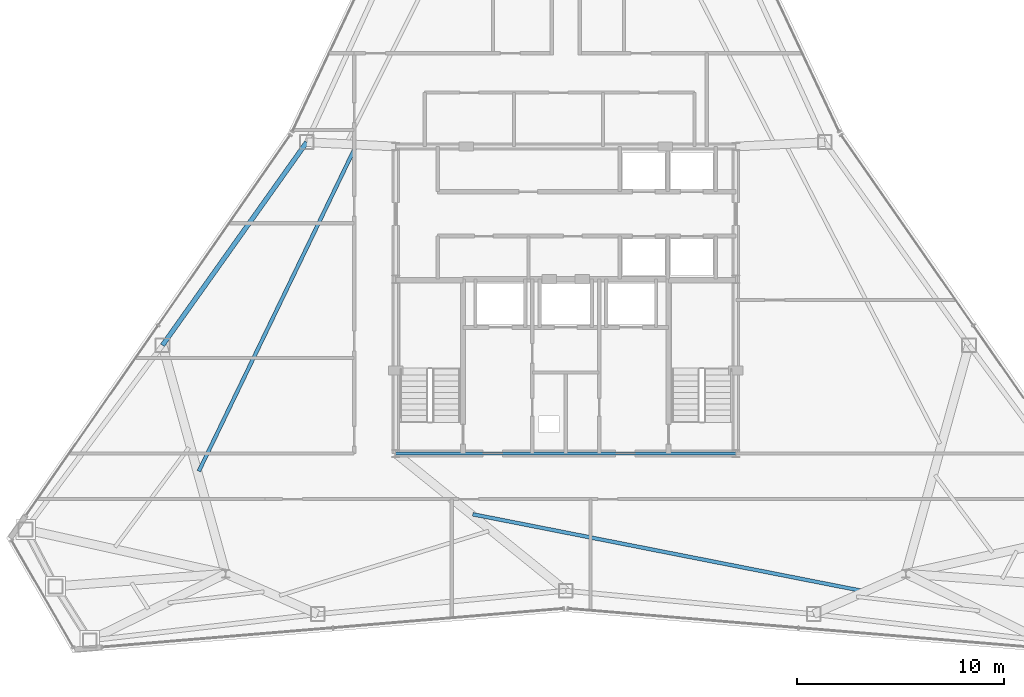
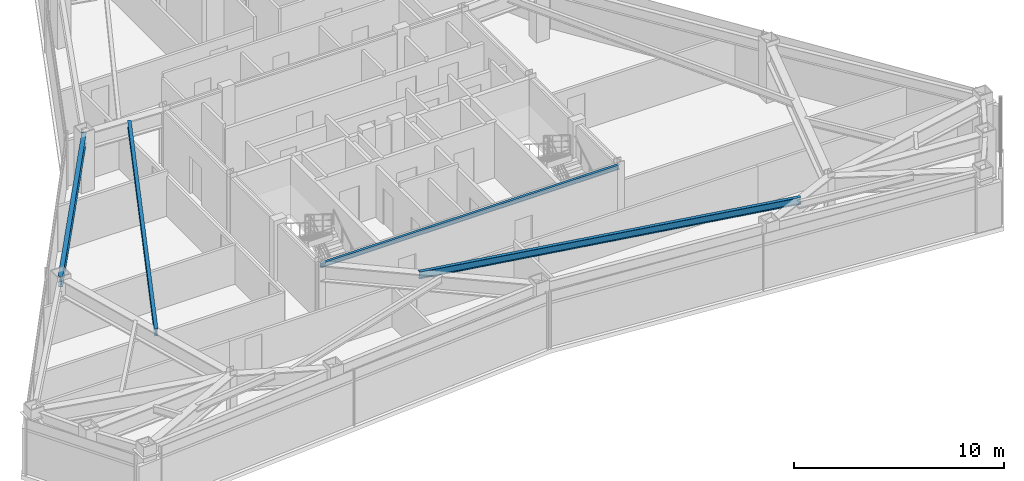
# One storey, part 4 of 12: 4 beams.
"""IFC4 building model written with IfcOpenShell, lengths in metres."""

import ifcopenshell
import ifcopenshell.guid

model = None  # the IFC model being written
_history = None  # IfcOwnerHistory: only IFC2X3 demands one
_inside = {}  # id of a spatial element -> (the spatial element, [elements in it])
_under = {}  # id of a project, library or spatial element -> (it, [spatial elements below it])
_declared = {}  # id of a project -> (the project, [libraries it declares])
_typed = {}  # id of a type object -> (the type object, [elements of that type])
_made_of = {}  # id of a material, layer set ... -> (it, [elements and type objects made of it])


def new_model(schema):
    """Start an empty IFC model of exactly this schema.

    Asked for "IFC4X3", IfcOpenShell would pick the latest addendum, in which some entities
    have other attributes; the version numbers below select the first issue.
    IFC2X3 requires an IfcOwnerHistory on every rooted entity: one is made here for all.
    """
    global model, _history
    if schema == "IFC4X3":
        model = ifcopenshell.file(schema_version=(4, 3, 0, 0))
    else:
        model = ifcopenshell.file(schema=schema)
    _inside.clear()
    _under.clear()
    _declared.clear()
    _typed.clear()
    _made_of.clear()
    _history = None
    if model.schema == "IFC2X3":
        org = make("IfcOrganization", Name="unknown")
        user = make(
            "IfcPersonAndOrganization",
            ThePerson=make("IfcPerson", FamilyName="unknown"),
            TheOrganization=org,
        )
        app = make(
            "IfcApplication",
            ApplicationDeveloper=org,
            Version="unknown",
            ApplicationFullName="unknown",
            ApplicationIdentifier="unknown",
        )
        _history = make(
            "IfcOwnerHistory",
            OwningUser=user,
            OwningApplication=app,
            ChangeAction="ADDED",
            CreationDate=0,
        )
    return model


def make(cls, **values):
    """One entity of the class cls with the attributes given. An attribute that is None is left unset."""
    return model.create_entity(
        cls, **{name: value for name, value in values.items() if value is not None}
    )


def rooted(cls, **values):
    """An entity with a GlobalId (a new one), such as an element, a storey or a relation."""
    return make(cls, GlobalId=ifcopenshell.guid.new(), OwnerHistory=_history, **values)


def si_unit(unit_type, name, prefix=None):
    """IfcSIUnit, for example si_unit("LENGTHUNIT", "METRE", prefix="MILLI")."""
    return make("IfcSIUnit", UnitType=unit_type, Prefix=prefix, Name=name)


def assignment(units):
    """IfcUnitAssignment: the units of a project."""
    return None if units is None else make("IfcUnitAssignment", Units=units)


def point(xyz):
    """IfcCartesianPoint."""
    return None if xyz is None else make("IfcCartesianPoint", Coordinates=xyz)


def direction(xyz):
    """IfcDirection."""
    return None if xyz is None else make("IfcDirection", DirectionRatios=xyz)


def frame(location, z_axis=None, x_axis=None):
    """IfcAxis2Placement3D, a coordinate frame: its origin and axes. An axis left out is left unset."""
    return make(
        "IfcAxis2Placement3D",
        Location=point(location),
        Axis=direction(z_axis),
        RefDirection=direction(x_axis),
    )


def frame_2d(location, x_axis=None):
    """IfcAxis2Placement2D, a coordinate frame in the plane: its origin and x axis."""
    return make(
        "IfcAxis2Placement2D", Location=point(location), RefDirection=direction(x_axis)
    )


def origin():
    """The frame at (0, 0, 0) with its axes left unset."""
    return frame((0.0, 0.0, 0.0))


def origin_2d():
    """The frame at (0, 0) in the plane with its x axis left unset."""
    return frame_2d((0.0, 0.0))


def place(relative_to, where):
    """IfcLocalPlacement: puts the frame where relative to a parent placement (None: the world)."""
    return make(
        "IfcLocalPlacement", PlacementRelTo=relative_to, RelativePlacement=where
    )


def context(
    kind, dimensions, precision=None, world=None, true_north=None, identifier=None
):
    """IfcGeometricRepresentationContext, for example the 3D "Model" context."""
    return make(
        "IfcGeometricRepresentationContext",
        ContextIdentifier=identifier,
        ContextType=kind,
        CoordinateSpaceDimension=dimensions,
        Precision=precision,
        WorldCoordinateSystem=world,
        TrueNorth=true_north,
    )


def subcontext(parent, identifier, kind, view, scale=None):
    """IfcGeometricRepresentationSubContext, for example "Body" below "Model"."""
    return make(
        "IfcGeometricRepresentationSubContext",
        ContextIdentifier=identifier,
        ContextType=kind,
        ParentContext=parent,
        TargetScale=scale,
        TargetView=view,
    )


def project(units=None, contexts=None):
    """IfcProject with its units and contexts."""
    return rooted(
        "IfcProject",
        Name="project",
        RepresentationContexts=contexts,
        UnitsInContext=assignment(units),
    )


def spatial(cls, under=None, at=None, **own):
    """A site, building, storey or space (cls), placed at a placement, below another one or the project."""
    s = rooted(cls, ObjectPlacement=at, **own)
    if under is not None:
        _under.setdefault(under.id(), (under, []))[1].append(s)
    return s


def profile(cls, at=None, kind="AREA", **sizes):
    """A parametric profile (cls). Its sizes go by their IFC names, for example OverallWidth=200.0."""
    return make(cls, ProfileType=kind, Position=at, **sizes)


def i_section(**sizes):
    """IfcIShapeProfileDef."""
    return profile("IfcIShapeProfileDef", **sizes)


def extrude(swept, where, along, depth):
    """IfcExtrudedAreaSolid: the profile swept, set in the frame where, extruded along a direction by depth."""
    return make(
        "IfcExtrudedAreaSolid",
        SweptArea=swept,
        Position=where,
        ExtrudedDirection=direction(along),
        Depth=depth,
    )


def shape(context_of_items, identifier, shape_type, items):
    """IfcShapeRepresentation: the items that make up one representation, for example the "Body"."""
    return make(
        "IfcShapeRepresentation",
        ContextOfItems=context_of_items,
        RepresentationIdentifier=identifier,
        RepresentationType=shape_type,
        Items=items,
    )


def material(Name=None, Category=None):
    """IfcMaterial."""
    return make("IfcMaterial", Name=Name, Category=Category)


def material_profile(
    of_material, cross_section, Name=None, Category=None, Priority=None
):
    """IfcMaterialProfile: a cross section and its material."""
    return make(
        "IfcMaterialProfile",
        Name=Name,
        Material=of_material,
        Profile=cross_section,
        Priority=Priority,
        Category=Category,
    )


def profile_set(profiles, Name=None, composite=None):
    """IfcMaterialProfileSet."""
    return make(
        "IfcMaterialProfileSet",
        Name=Name,
        MaterialProfiles=profiles,
        CompositeProfile=composite,
    )


def made_of(thing, what):
    """Note that an element or type object is made of a material, layer set ...; save() writes the relation."""
    if what is not None:
        _made_of.setdefault(what.id(), (what, []))[1].append(thing)
    return thing


def type_object(cls, material=None, **own):
    """A type object (cls), such as IfcWallType, which elements share."""
    return made_of(rooted(cls, **own), material)


def element(
    cls,
    number,
    at=None,
    inside=None,
    cuts=None,
    type_object=None,
    material=None,
    context=None,
    identifier="Body",
    shape_type=None,
    held_by="IfcProductDefinitionShape",
    body=None,
    shapes=None,
    **own,
):
    """One element of the class cls, such as IfcWall. Its Tag is "e" and its number.

    at: its placement. inside: the storey or other place that contains it. cuts: it is an
    opening in that element (IfcRelVoidsElement). A single representation is given by context,
    identifier, shape_type and body (its items); several are given by shapes. held_by: the class
    of the entity that holds the representations. save() writes the other relations.
    """
    e = rooted(cls, Tag="e%d" % number, ObjectPlacement=at, **own)
    if body is not None:
        shapes = [shape(context, identifier, shape_type, body)]
    if shapes is not None:
        e.Representation = make(held_by, Representations=shapes)
    if inside is not None:
        _inside.setdefault(inside.id(), (inside, []))[1].append(e)
    if cuts is not None:
        rooted(
            "IfcRelVoidsElement", RelatingBuildingElement=cuts, RelatedOpeningElement=e
        )
    if type_object is not None:
        _typed.setdefault(type_object.id(), (type_object, []))[1].append(e)
    return made_of(e, material)


def aggregate(whole, parts):
    """IfcRelAggregates: a whole, such as a stair, and the parts it consists of."""
    return rooted("IfcRelAggregates", RelatingObject=whole, RelatedObjects=parts)


def save(model, path):
    """Write the relations noted so far, then the file.

    IfcRelAggregates (storeys below a building ...), IfcRelContainedInSpatialStructure (elements
    in a storey), IfcRelDefinesByType, IfcRelAssociatesMaterial and IfcRelDeclares: one each for
    every whole, place, type object, material and project.
    """
    for whole, parts in _under.values():
        aggregate(whole, parts)
    for where, things in _inside.values():
        rooted(
            "IfcRelContainedInSpatialStructure",
            RelatedElements=things,
            RelatingStructure=where,
        )
    for kind, things in _typed.values():
        rooted("IfcRelDefinesByType", RelatedObjects=things, RelatingType=kind)
    for what, things in _made_of.values():
        rooted("IfcRelAssociatesMaterial", RelatedObjects=things, RelatingMaterial=what)
    for by, libraries in _declared.values():
        rooted("IfcRelDeclares", RelatingContext=by, RelatedDefinitions=libraries)
    model.write(path)


model = new_model("IFC4")

# Units and contexts
model_context = context("Model", 3, precision=1e-05, world=origin(), true_north=direction((0.0, 1.0)))
body_context = subcontext(model_context, "Body", "Model", "MODEL_VIEW")
ifc_project = project(units=[si_unit("LENGTHUNIT", "METRE"), si_unit("AREAUNIT", "SQUARE_METRE"), si_unit("VOLUMEUNIT", "CUBIC_METRE"), si_unit("PLANEANGLEUNIT", "RADIAN"), si_unit("MASSUNIT", "GRAM", prefix="KILO")], contexts=[model_context])

# Site, building, storey
site_placement = place(None, origin())
site = spatial("IfcSite", under=ifc_project, at=site_placement, CompositionType="ELEMENT")
building_placement = place(site_placement, origin())
building = spatial("IfcBuilding", under=site, at=building_placement, Name="Varakhsha Concourse Tower", CompositionType="ELEMENT")
storey_placement = place(building_placement, frame((0.0, 0.0, 229.39990234375)))
storey = spatial("IfcBuildingStorey", under=building, at=storey_placement, Name="L65", CompositionType="ELEMENT", Elevation=229.39990234375)

# Beams
ifc_material = material(Name="Structural Steel ASTM A992 Grade 50", Category="steel")
ifc_material_profile_1 = material_profile(ifc_material, i_section(OverallWidth=0.177978515625, OverallDepth=0.406982421875, WebThickness=0.008056640625, FlangeThickness=0.012939453125, at=origin_2d()), Name="W16X40")
ifc_profile_set_1 = profile_set([ifc_material_profile_1], Name="Structural Steel ASTM A992 Grade 50")
beam_type_1 = type_object("IfcBeamType", Name="BM-JST-W16X40", PredefinedType="JOIST", material=ifc_profile_set_1)
beam_1_placement = place(storey_placement, frame((29.864501953125, 31.19384765625, 3.046630859375), z_axis=(-0.434908583174, -0.90047461057, 0.0), x_axis=(0.90047461057, -0.434908583174, 0.0)))
element("IfcBeam", 1, at=beam_1_placement, inside=storey, type_object=beam_type_1, Name="BM-TJST-L65-05", PredefinedType="JOIST", context=body_context, shape_type="SweptSolid", body=[
    extrude(i_section(OverallWidth=0.177978515625, OverallDepth=0.406982421875, WebThickness=0.008056640625, FlangeThickness=0.012939453125, at=origin_2d()), origin(), (0.0, 0.0, 1.0), 17.37646484375),
])
beam_2_placement = place(storey_placement, frame((35.515869140625, 13.465087890625, 3.046630859375), z_axis=(0.981202714164, -0.192979879045, 0.0), x_axis=(0.192979879045, 0.981202714164, 0.0)))
element("IfcBeam", 2, at=beam_2_placement, inside=storey, type_object=beam_type_1, Name="BM-TJST-L65-11", PredefinedType="JOIST", context=body_context, shape_type="SweptSolid", body=[
    extrude(i_section(OverallWidth=0.177978515625, OverallDepth=0.406982421875, WebThickness=0.008056640625, FlangeThickness=0.012939453125, at=origin_2d()), origin(), (0.0, 0.0, 1.0), 19.182861328125),
])
ifc_material_profile_2 = material_profile(ifc_material, i_section(OverallWidth=0.14697265625, OverallDepth=0.261962890625, WebThickness=0.007080078125, FlangeThickness=0.010986328125, at=origin_2d()), Name="W10X26")
ifc_profile_set_2 = profile_set([ifc_material_profile_2], Name="Structural Steel ASTM A992 Grade 50")
beam_type_2 = type_object("IfcBeamType", Name="BM-LNTL-W10X26", PredefinedType="LINTEL", material=ifc_profile_set_2)
beam_3_placement = place(storey_placement, frame((31.800048828125, 16.39990234375, 3.119140625), z_axis=(1.0, 0.0, 0.0), x_axis=(0.0, 1.0, 0.0)))
element("IfcBeam", 3, at=beam_3_placement, inside=storey, type_object=beam_type_2, Name="BM-TCORE-L65-CS", PredefinedType="LINTEL", context=body_context, shape_type="SweptSolid", body=[
    extrude(i_section(OverallWidth=0.14697265625, OverallDepth=0.261962890625, WebThickness=0.007080078125, FlangeThickness=0.010986328125, at=origin_2d()), origin(), (0.0, 0.0, 1.0), 16.39990234375),
])
ifc_material_profile_3 = material_profile(ifc_material, i_section(OverallWidth=0.22900390625, OverallDepth=0.612060546875, WebThickness=0.011962890625, FlangeThickness=0.02001953125, at=origin_2d()), Name="W24X84")
ifc_profile_set_3 = profile_set([ifc_material_profile_3], Name="Structural Steel ASTM A992 Grade 50")
beam_type_3 = type_object("IfcBeamType", Name="BM-SPAN-W24X84", PredefinedType="SPANDREL", material=ifc_profile_set_3)
beam_4_placement = place(storey_placement, frame((27.510009765625, 31.4111328125, 2.944091796875), z_axis=(-0.579107968435, -0.815250857648, 0.0), x_axis=(0.815250857648, -0.579107968435, 0.0)))
element("IfcBeam", 4, at=beam_4_placement, inside=storey, type_object=beam_type_3, Name="BM-SPAN-L65-05", PredefinedType="SPANDREL", context=body_context, shape_type="SweptSolid", body=[
    extrude(i_section(OverallWidth=0.22900390625, OverallDepth=0.612060546875, WebThickness=0.011962890625, FlangeThickness=0.02001953125, at=origin_2d()), origin(), (0.0, 0.0, 1.0), 12.012451171875),
])

save(model, "model.ifc")
